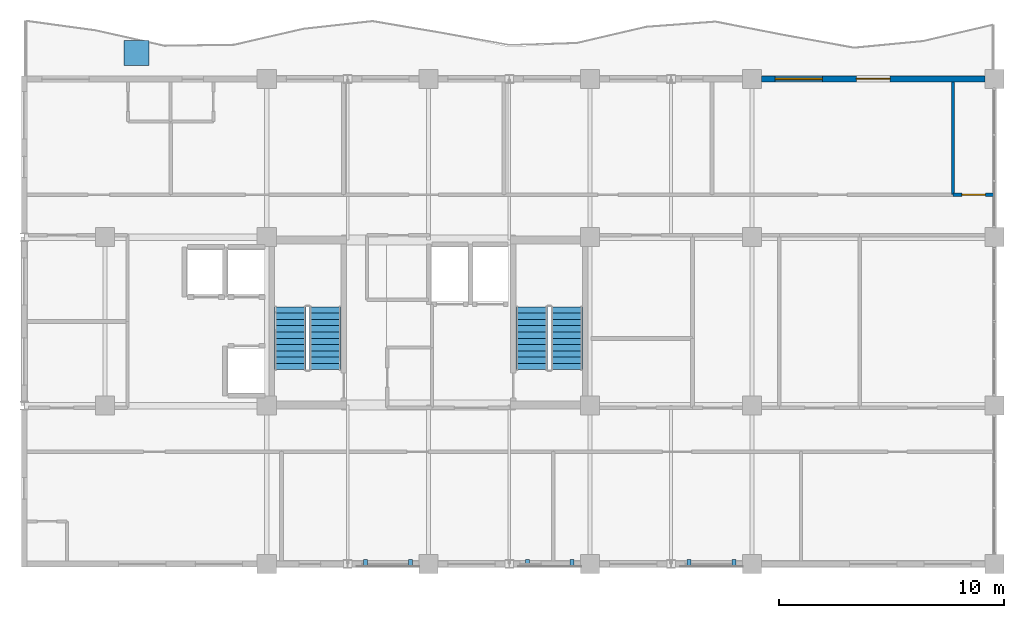
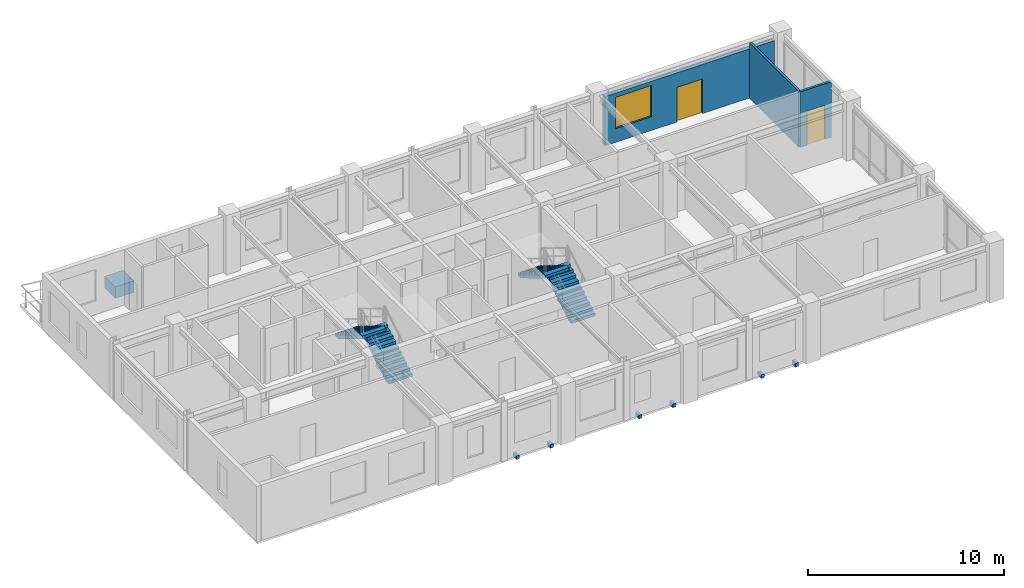
# One storey, part 9 of 11: 7 discrete accessories, 4 stair flights, 3 walls, 2 doors, 1 window, 3 openings, 2 elements without a shape of their own.
"""IFC4 building model written with IfcOpenShell, lengths in metres."""

from ifc_helpers import new_model, si_unit, direction, frame, frame_2d, origin, origin_2d, place, context, subcontext, project, spatial, polyline, rectangle, outline, extrude, source, transform, mapped, material, layer, layer_set, type_object, element, fill, aggregate, save


model = new_model("IFC4")

# Units and contexts
model_context = context("Model", 3, precision=1e-05, world=origin(), true_north=direction((0.0, 1.0)))
body_context = subcontext(model_context, "Body", "Model", "MODEL_VIEW")
ifc_project = project(units=[si_unit("LENGTHUNIT", "METRE"), si_unit("AREAUNIT", "SQUARE_METRE"), si_unit("VOLUMEUNIT", "CUBIC_METRE"), si_unit("PLANEANGLEUNIT", "RADIAN"), si_unit("MASSUNIT", "GRAM", prefix="KILO")], contexts=[model_context])

# Site, building, storey
site_placement = place(None, origin())
site = spatial("IfcSite", under=ifc_project, at=site_placement, CompositionType="ELEMENT")
building_placement = place(site_placement, origin())
building = spatial("IfcBuilding", under=site, at=building_placement, Name="Kaliganga Portal Commons", CompositionType="ELEMENT")
storey_placement = place(building_placement, frame((0.0, 0.0, 272.10009765625)))
storey = spatial("IfcBuildingStorey", under=building, at=storey_placement, Name="L70", CompositionType="ELEMENT", Elevation=272.10009765625)

# Wall, openings, door, window
ifc_material_1 = material(Name="Insulated Aluminium-Clad Spandrel Assembly", Category="aluminium")
ifc_layer_1 = layer(ifc_material_1, 0.260009765625)
ifc_layer_set_1 = layer_set([ifc_layer_1], Name="Insulated Aluminium-Clad Spandrel Assembly")
wall_type_1 = type_object("IfcWallType", Name="WL-EXT-SPAND-260", PredefinedType="STANDARD", material=ifc_layer_set_1)
wall_1_placement = place(storey_placement, frame((36.426025390625, 43.199951171875, 0.0), z_axis=(0.0, 0.0, 1.0), x_axis=(1.0, 0.0, 0.0)))
wall_1 = element("IfcWall", 1, at=wall_1_placement, inside=storey, type_object=wall_type_1, Name="Exterior Envelope Wall L70 P1-E02-S1", PredefinedType="STANDARD", context=body_context, shape_type="SweptSolid", body=[
    extrude(rectangle(XDim=9.947998046875, YDim=0.260009765625, at=frame_2d((4.97412109375, 0.0))), origin(), (0.0, 0.0, 1.0), 3.054931640625),
])
opening_1_placement = place(wall_1_placement, frame((4.22412109375, 0.0, 0.0)))
opening_1 = element("IfcOpeningElement", 2, at=opening_1_placement, cuts=wall_1, Name="Opening BD-01", PredefinedType="OPENING", context=body_context, shape_type="SweptSolid", body=[
    extrude(rectangle(XDim=1.5, YDim=2.14990234375, at=frame_2d((0.75, 1.074951171875))), frame((0.0, 0.14013671875, 0.0), z_axis=(0.0, -1.0, 0.0), x_axis=(1.0, 0.0, 0.0)), (0.0, 0.0, 1.0), 0.280029296875),
])
opening_2_placement = place(wall_1_placement, frame((0.60791015625, 0.0, 0.85009765625)))
opening_2 = element("IfcOpeningElement", 3, at=opening_2_placement, cuts=wall_1, Name="Opening W-06", PredefinedType="OPENING", context=body_context, shape_type="SweptSolid", body=[
    extrude(rectangle(XDim=2.10009765625, YDim=1.949951171875, at=frame_2d((1.050048828125, 0.97509765625))), frame((0.0, 0.14013671875, 0.0), z_axis=(0.0, -1.0, 0.0), x_axis=(1.0, 0.0, 0.0)), (0.0, 0.0, 1.0), 0.280029296875),
])
ifc_material_2 = material(Name="Anodized Aluminium and Laminated Safety Glass", Category="aluminium")
door_type_1 = type_object("IfcDoorType", Name="DR-BALC-1500", OperationType="SLIDING_TO_LEFT", PredefinedType="DOOR", material=ifc_material_2)
door_1_placement = place(opening_1_placement, origin())
door_1 = element("IfcDoor", 4, at=door_1_placement, inside=storey, type_object=door_type_1, Name="Balcony Sliding Door L70 balc_north", OperationType="SLIDING_TO_LEFT", OverallHeight=2.14990234375, OverallWidth=1.5, PredefinedType="DOOR", context=body_context, shape_type="SweptSolid", body=[
    extrude(rectangle(XDim=1.5, YDim=2.14990234375, at=frame_2d((0.75, 1.074951171875))), frame((0.0, 0.02490234375, 0.0), z_axis=(0.0, -1.0, 0.0), x_axis=(1.0, 0.0, 0.0)), (0.0, 0.0, 1.0), 0.050048828125),
])
fill(opening_1, door_1)
ifc_material_3 = material(Name="Thermally Broken Aluminium and Low-E Double Glazing", Category="aluminium")
window_type = type_object("IfcWindowType", Name="WIN-PAN-2100", PartitioningType="DOUBLE_PANEL_VERTICAL", PredefinedType="WINDOW", material=ifc_material_3)
window_placement = place(opening_2_placement, origin())
window = element("IfcWindow", 5, at=window_placement, inside=storey, type_object=window_type, Name="Facade Window L70-P1E02S1-00", OverallHeight=1.949951171875, OverallWidth=2.10009765625, PartitioningType="SINGLE_PANEL", PredefinedType="WINDOW", context=body_context, shape_type="SweptSolid", body=[
    extrude(rectangle(XDim=2.10009765625, YDim=1.949951171875, at=frame_2d((1.050048828125, 0.97509765625))), frame((0.0, 0.030029296875, 0.0), z_axis=(0.0, -1.0, 0.0), x_axis=(1.0, 0.0, 0.0)), (0.0, 0.0, 1.0), 0.06005859375),
])
fill(opening_2, window)

# Wall, opening, door
ifc_material_4 = material(Name="Fire-Rated Gypsum Board on Steel Stud", Category="steel")
ifc_layer_2 = layer(ifc_material_4, 0.14990234375)
ifc_layer_set_2 = layer_set([ifc_layer_2], Name="Fire-Rated Gypsum Board on Steel Stud")
wall_type_2 = type_object("IfcWallType", Name="WL-PART-CORR-150", PredefinedType="PARTITIONING", material=ifc_layer_set_2)
wall_2_placement = place(storey_placement, frame((44.9599609375, 38.0400390625, 0.0), z_axis=(0.0, 0.0, 1.0), x_axis=(1.0, 0.0, 0.0)))
wall_2 = element("IfcWall", 6, at=wall_2_placement, inside=storey, type_object=wall_type_2, Name="Interior Partition L70-040", PredefinedType="PARTITIONING", context=body_context, shape_type="SweptSolid", body=[
    extrude(rectangle(XDim=1.820068359375, YDim=0.14990234375, at=frame_2d((0.91015625, 0.0))), origin(), (0.0, 0.0, 1.0), 3.454833984375),
])
opening_3_placement = place(wall_2_placement, frame((0.385009765625, 0.0, 0.0)))
opening_3 = element("IfcOpeningElement", 7, at=opening_3_placement, cuts=wall_2, Name="Opening UD-02", PredefinedType="OPENING", context=body_context, shape_type="SweptSolid", body=[
    extrude(rectangle(XDim=1.050048828125, YDim=2.1201171875, at=frame_2d((0.52490234375, 1.06005859375))), frame((0.0, 0.0849609375, 0.0), z_axis=(0.0, -1.0, 0.0), x_axis=(1.0, 0.0, 0.0)), (0.0, 0.0, 1.0), 0.169921875),
])
ifc_material_5 = material(Name="Accessible Wide-Leaf Acoustic Fire Door", Category="wood")
door_type_2 = type_object("IfcDoorType", Name="DR-ACC-1050", OperationType="NOTDEFINED", PredefinedType="DOOR", material=ifc_material_5)
door_2_placement = place(opening_3_placement, origin())
door_2 = element("IfcDoor", 8, at=door_2_placement, inside=storey, type_object=door_type_2, Name="Interior Door L70-AN06", OperationType="SINGLE_SWING_RIGHT", OverallHeight=2.1201171875, OverallWidth=1.050048828125, PredefinedType="DOOR", context=body_context, shape_type="SweptSolid", body=[
    extrude(rectangle(XDim=1.050048828125, YDim=2.1201171875, at=frame_2d((0.52490234375, 1.06005859375))), frame((0.0, 0.02490234375, 0.0), z_axis=(0.0, -1.0, 0.0), x_axis=(1.0, 0.0, 0.0)), (0.0, 0.0, 1.0), 0.050048828125),
])
fill(opening_3, door_2)

# Wall
ifc_material_6 = material(Name="Cement-Board Wet-Room Partition", Category="gypsum")
ifc_layer_3 = layer(ifc_material_6, 0.135009765625)
ifc_layer_set_3 = layer_set([ifc_layer_3], Name="Cement-Board Wet-Room Partition")
wall_type_3 = type_object("IfcWallType", Name="WL-PART-WET-135", PredefinedType="PARTITIONING", material=ifc_layer_set_3)
wall_3_placement = place(storey_placement, frame((44.9599609375, 38.0400390625, 0.0), z_axis=(0.0, 0.0, 1.0), x_axis=(0.0, 1.0, 0.0)))
element("IfcWall", 9, at=wall_3_placement, inside=storey, type_object=wall_type_3, Name="Interior Partition L70-047", PredefinedType="PARTITIONING", context=body_context, shape_type="SweptSolid", body=[
    extrude(rectangle(XDim=5.028076171875, YDim=0.135009765625, at=frame_2d((2.51416015625, 0.0))), origin(), (0.0, 0.0, 1.0), 3.454833984375),
])

# Stair, stair flights
ifc_material_7 = material(Name="Concrete C40/50", Category="concrete")
stair_type = type_object("IfcStairType", Name="ST-CORE-DOGLEG", PredefinedType="HALF_TURN_STAIR", material=ifc_material_7)
stair_1_placement = place(storey_placement, origin())
stair_1 = element("IfcStair", 10, at=stair_1_placement, inside=storey, type_object=stair_type, Name="L70 Protected Exit Stair ST-A1", PredefinedType="HALF_TURN_STAIR")
stair_flight_type = type_object("IfcStairFlightType", Name="STF-RC-1400", PredefinedType="STRAIGHT", material=ifc_material_7)
stair_flight_1_placement = place(storey_placement, frame((17.0, 30.25, 0.0), z_axis=(0.0, 0.0, 1.0), x_axis=(0.0, 1.0, 0.0)))
stair_flight_1 = element("IfcStairFlight", 11, at=stair_flight_1_placement, type_object=stair_flight_type, Name="ST-A1 flight 1", NumberOfRisers=11, NumberOfTreads=10, PredefinedType="STRAIGHT", RiserHeight=0.168181818, TreadLength=0.28, context=body_context, shape_type="SweptSolid", body=[
    extrude(outline(polyline([(0.0, 0.0), (0.0, 0.168212890625), (0.280029296875, 0.168212890625), (0.280029296875, 0.33642578125), (0.56005859375, 0.33642578125), (0.56005859375, 0.504638671875), (0.840087890625, 0.504638671875), (0.840087890625, 0.672607421875), (1.1201171875, 0.672607421875), (1.1201171875, 0.8408203125), (1.39990234375, 0.8408203125), (1.39990234375, 1.009033203125), (1.679931640625, 1.009033203125), (1.679931640625, 1.17724609375), (1.9599609375, 1.17724609375), (1.9599609375, 1.345458984375), (2.239990234375, 1.345458984375), (2.239990234375, 1.513671875), (2.52001953125, 1.513671875), (2.52001953125, 1.681884765625), (2.800048828125, 1.681884765625), (2.800048828125, 1.85009765625), (2.800048828125, 1.5068359375), (0.291015625, 0.0), (0.0, 0.0)])), frame((0.0, 0.699951171875, 0.0), z_axis=(0.0, -1.0, 0.0), x_axis=(1.0, 0.0, 0.0)), (0.0, 0.0, 1.0), 1.39990234375),
])
stair_flight_2_placement = place(storey_placement, frame((15.449951171875, 33.050048828125, 1.849853515625), z_axis=(0.0, 0.0, 1.0), x_axis=(0.0, -1.0, 0.0)))
stair_flight_2 = element("IfcStairFlight", 12, at=stair_flight_2_placement, type_object=stair_flight_type, Name="ST-A1 flight 2", NumberOfRisers=11, NumberOfTreads=10, PredefinedType="STRAIGHT", RiserHeight=0.168181818, TreadLength=0.28, context=body_context, shape_type="SweptSolid", body=[
    extrude(outline(polyline([(0.0, 0.0), (0.0, 0.168212890625), (0.280029296875, 0.168212890625), (0.280029296875, 0.33642578125), (0.56005859375, 0.33642578125), (0.56005859375, 0.504638671875), (0.840087890625, 0.504638671875), (0.840087890625, 0.672607421875), (1.1201171875, 0.672607421875), (1.1201171875, 0.8408203125), (1.39990234375, 0.8408203125), (1.39990234375, 1.009033203125), (1.679931640625, 1.009033203125), (1.679931640625, 1.17724609375), (1.9599609375, 1.17724609375), (1.9599609375, 1.345458984375), (2.239990234375, 1.345458984375), (2.239990234375, 1.513671875), (2.52001953125, 1.513671875), (2.52001953125, 1.681884765625), (2.800048828125, 1.681884765625), (2.800048828125, 1.85009765625), (2.800048828125, 1.5068359375), (0.291015625, 0.0), (0.0, 0.0)])), frame((0.0, 0.699951171875, 0.0), z_axis=(0.0, -1.0, 0.0), x_axis=(1.0, 0.0, 0.0)), (0.0, 0.0, 1.0), 1.39990234375),
])
aggregate(stair_1, [stair_flight_1, stair_flight_2])

stair_2_placement = place(storey_placement, origin())
stair_2 = element("IfcStair", 13, at=stair_2_placement, inside=storey, type_object=stair_type, Name="L70 Protected Exit Stair ST-A2", PredefinedType="HALF_TURN_STAIR")
stair_flight_3_placement = place(storey_placement, frame((27.75, 30.25, 0.0), z_axis=(0.0, 0.0, 1.0), x_axis=(0.0, 1.0, 0.0)))
stair_flight_3 = element("IfcStairFlight", 14, at=stair_flight_3_placement, type_object=stair_flight_type, Name="ST-A2 flight 1", NumberOfRisers=11, NumberOfTreads=10, PredefinedType="STRAIGHT", RiserHeight=0.168181818, TreadLength=0.28, context=body_context, shape_type="SweptSolid", body=[
    extrude(outline(polyline([(0.0, 0.0), (0.0, 0.168212890625), (0.280029296875, 0.168212890625), (0.280029296875, 0.33642578125), (0.56005859375, 0.33642578125), (0.56005859375, 0.504638671875), (0.840087890625, 0.504638671875), (0.840087890625, 0.672607421875), (1.1201171875, 0.672607421875), (1.1201171875, 0.8408203125), (1.39990234375, 0.8408203125), (1.39990234375, 1.009033203125), (1.679931640625, 1.009033203125), (1.679931640625, 1.17724609375), (1.9599609375, 1.17724609375), (1.9599609375, 1.345458984375), (2.239990234375, 1.345458984375), (2.239990234375, 1.513671875), (2.52001953125, 1.513671875), (2.52001953125, 1.681884765625), (2.800048828125, 1.681884765625), (2.800048828125, 1.85009765625), (2.800048828125, 1.5068359375), (0.291015625, 0.0), (0.0, 0.0)])), frame((0.0, 0.699951171875, 0.0), z_axis=(0.0, -1.0, 0.0), x_axis=(1.0, 0.0, 0.0)), (0.0, 0.0, 1.0), 1.39990234375),
])
stair_flight_4_placement = place(storey_placement, frame((26.199951171875, 33.050048828125, 1.849853515625), z_axis=(0.0, 0.0, 1.0), x_axis=(0.0, -1.0, 0.0)))
stair_flight_4 = element("IfcStairFlight", 15, at=stair_flight_4_placement, type_object=stair_flight_type, Name="ST-A2 flight 2", NumberOfRisers=11, NumberOfTreads=10, PredefinedType="STRAIGHT", RiserHeight=0.168181818, TreadLength=0.28, context=body_context, shape_type="SweptSolid", body=[
    extrude(outline(polyline([(0.0, 0.0), (0.0, 0.168212890625), (0.280029296875, 0.168212890625), (0.280029296875, 0.33642578125), (0.56005859375, 0.33642578125), (0.56005859375, 0.504638671875), (0.840087890625, 0.504638671875), (0.840087890625, 0.672607421875), (1.1201171875, 0.672607421875), (1.1201171875, 0.8408203125), (1.39990234375, 0.8408203125), (1.39990234375, 1.009033203125), (1.679931640625, 1.009033203125), (1.679931640625, 1.17724609375), (1.9599609375, 1.17724609375), (1.9599609375, 1.345458984375), (2.239990234375, 1.345458984375), (2.239990234375, 1.513671875), (2.52001953125, 1.513671875), (2.52001953125, 1.681884765625), (2.800048828125, 1.681884765625), (2.800048828125, 1.85009765625), (2.800048828125, 1.5068359375), (0.291015625, 0.0), (0.0, 0.0)])), frame((0.0, 0.699951171875, 0.0), z_axis=(0.0, -1.0, 0.0), x_axis=(1.0, 0.0, 0.0)), (0.0, 0.0, 1.0), 1.39990234375),
])
aggregate(stair_2, [stair_flight_3, stair_flight_4])

# Discrete accessories
ifc_material_8 = material(Name="Precast concrete C40/50", Category="concrete")
discrete_accessory_type_1 = type_object("IfcDiscreteAccessoryType", Name="DAC-PLANTER-RC", PredefinedType="USERDEFINED", material=ifc_material_8)
shared_shape_1 = source(origin(), body_context, "Body", "SweptSolid", [
    extrude(rectangle(XDim=1.10009765625, YDim=1.10009765625, at=origin_2d()), origin(), (0.0, 0.0, 1.0), 0.719970703125),
])
discrete_accessory_placement = place(storey_placement, frame((8.60009765625, 44.35009765625, 0.0), z_axis=(0.0, 0.0, 1.0), x_axis=(1.0, 0.0, 0.0)))
element("IfcDiscreteAccessory", 16, at=discrete_accessory_placement, inside=storey, type_object=discrete_accessory_type_1, Name="Structural Tree Planter L70 balc_north", ObjectType="PLANTER", PredefinedType="USERDEFINED", context=body_context, shape_type="MappedRepresentation", body=[
    mapped(shared_shape_1, transform((0.0, 0.0, 0.0), x_axis=(1.0, 0.0, 0.0), y_axis=(0.0, 1.0, 0.0), z_axis=(0.0, 0.0, 1.0), scale=1.0)),
])
ifc_material_9 = material(Name="Structural steel S355J2", Category="steel")
discrete_accessory_type_2 = type_object("IfcDiscreteAccessoryType", Name="DAC-BRK-SCR", PredefinedType="BRACKET", material=ifc_material_9)
shared_shape_2 = source(origin(), body_context, "Body", "SweptSolid", [
    extrude(rectangle(XDim=0.179931640625, YDim=0.360107421875, at=origin_2d()), origin(), (0.0, 0.0, 1.0), 0.219970703125),
])
for number, where, z_axis, x_axis, name in (
    (17, (18.800048828125, 21.6201171875, -0.18994140625), (0.0, 0.0, 1.0), (1.0, 0.0, 0.0), "Solar Screen Outrigger Bracket L70-S1-1"),
    (18, (20.800048828125, 21.6201171875, -0.18994140625), (0.0, 0.0, 1.0), (1.0, 0.0, 0.0), "Solar Screen Outrigger Bracket L70-S1-2"),
    (19, (26.0, 21.6201171875, -0.18994140625), (0.0, 0.0, 1.0), (1.0, 0.0, 0.0), "Solar Screen Outrigger Bracket L70-S2-1"),
    (20, (28.0, 21.6201171875, -0.18994140625), (0.0, 0.0, 1.0), (1.0, 0.0, 0.0), "Solar Screen Outrigger Bracket L70-S2-2"),
    (21, (33.199951171875, 21.6201171875, -0.18994140625), (0.0, 0.0, 1.0), (1.0, 0.0, 0.0), "Solar Screen Outrigger Bracket L70-S3-1"),
    (22, (35.199951171875, 21.6201171875, -0.18994140625), (0.0, 0.0, 1.0), (1.0, 0.0, 0.0), "Solar Screen Outrigger Bracket L70-S3-2"),
):
    element("IfcDiscreteAccessory", number, at=place(storey_placement, frame(where, z_axis=z_axis, x_axis=x_axis)), inside=storey, type_object=discrete_accessory_type_2, Name=name, PredefinedType="BRACKET", context=body_context, shape_type="MappedRepresentation", body=[
        mapped(shared_shape_2, transform((0.0, 0.0, 0.0), x_axis=(1.0, 0.0, 0.0), y_axis=(0.0, 1.0, 0.0), z_axis=(0.0, 0.0, 1.0), scale=1.0)),
    ])

save(model, "model.ifc")
